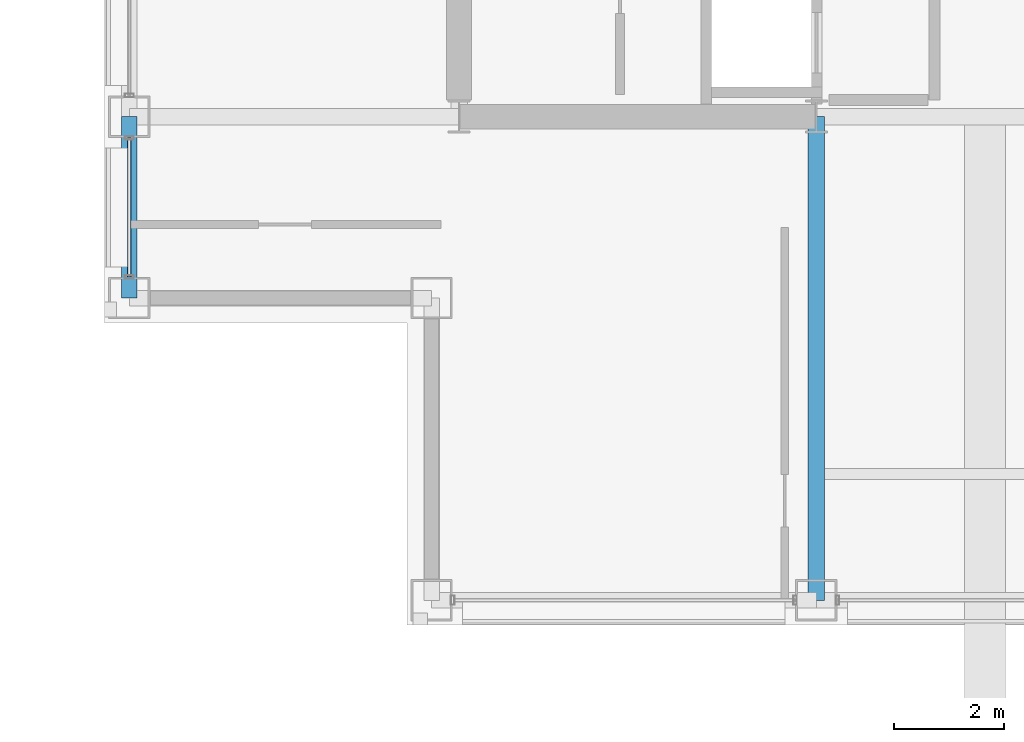
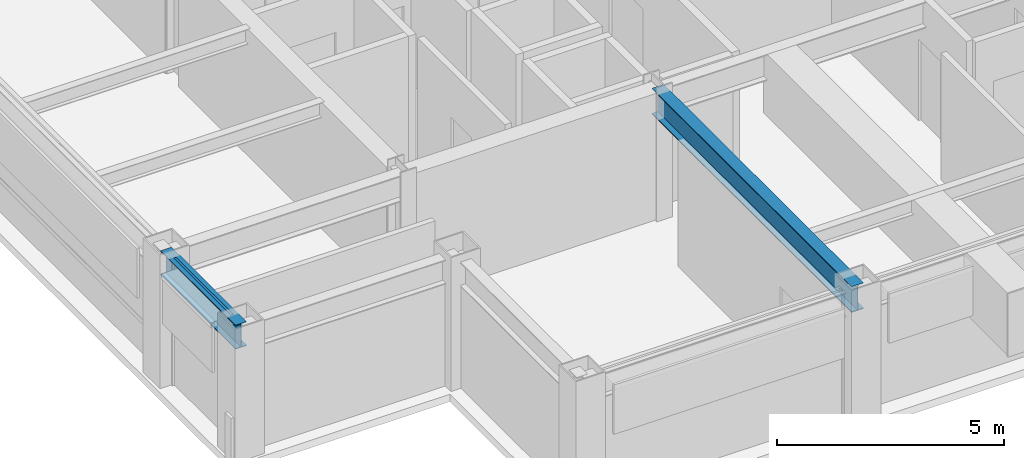
# One storey, part 3 of 28: 2 beams, 1 member, 1 element without a shape of its own.
"""IFC4 building model written with IfcOpenShell, lengths in metres."""

from ifc_helpers import new_model, si_unit, direction, frame, origin, origin_2d, place, context, subcontext, project, spatial, hollow_rectangle, i_section, extrude, material, layer, layer_set, material_profile, profile_set, type_object, element, aggregate, save


model = new_model("IFC4")

# Units and contexts
model_context = context("Model", 3, precision=1e-05, world=origin(), true_north=direction((0.0, 1.0)))
body_context = subcontext(model_context, "Body", "Model", "MODEL_VIEW")
ifc_project = project(units=[si_unit("LENGTHUNIT", "METRE"), si_unit("AREAUNIT", "SQUARE_METRE"), si_unit("VOLUMEUNIT", "CUBIC_METRE"), si_unit("PLANEANGLEUNIT", "RADIAN"), si_unit("MASSUNIT", "GRAM", prefix="KILO")], contexts=[model_context])

# Site, building, storey
site_placement = place(None, origin())
site = spatial("IfcSite", under=ifc_project, at=site_placement, CompositionType="ELEMENT")
building_placement = place(site_placement, origin())
building = spatial("IfcBuilding", under=site, at=building_placement, Name="Brelmoor Portico Tower", CompositionType="ELEMENT")
storey_placement = place(building_placement, frame((0.0, 0.0, 155.10009765625)))
storey = spatial("IfcBuildingStorey", under=building, at=storey_placement, Name="L40", CompositionType="ELEMENT", Elevation=155.10009765625)

# Beams
ifc_material_1 = material(Name="Steel Q355B", Category="steel")
ifc_material_profile_1 = material_profile(ifc_material_1, i_section(OverallWidth=0.300048828125, OverallDepth=0.699951171875, WebThickness=0.012939453125, FlangeThickness=0.02392578125, at=origin_2d()), Name="HN 700x300x13x24")
ifc_profile_set_1 = profile_set([ifc_material_profile_1], Name="Steel Q355B")
beam_type_1 = type_object("IfcBeamType", Name="BM-PG-700", PredefinedType="BEAM", material=ifc_profile_set_1)
beam_1_placement = place(storey_placement, frame((-8.050048828125, -18.550048828125, 3.0498046875), z_axis=(0.0, 1.0, 0.0), x_axis=(-1.0, 0.0, 0.0)))
element("IfcBeam", 1, at=beam_1_placement, inside=storey, type_object=beam_type_1, Name="L40 Primary Floor Girder PG-03", PredefinedType="BEAM", context=body_context, shape_type="SweptSolid", body=[
    extrude(i_section(OverallWidth=0.300048828125, OverallDepth=0.699951171875, WebThickness=0.012939453125, FlangeThickness=0.02392578125, at=origin_2d()), origin(), (0.0, 0.0, 1.0), 8.800048828125),
])
ifc_material_profile_2 = material_profile(ifc_material_1, i_section(OverallWidth=0.280029296875, OverallDepth=0.64990234375, WebThickness=0.012939453125, FlangeThickness=0.02197265625, at=origin_2d()), Name="HN 650x280x13x22")
ifc_profile_set_2 = profile_set([ifc_material_profile_2], Name="Steel Q355B")
beam_type_2 = type_object("IfcBeamType", Name="BM-SP-650", PredefinedType="SPANDREL", material=ifc_profile_set_2)
beam_2_placement = place(storey_placement, frame((-20.550048828125, -13.050048828125, 3.074951171875), z_axis=(0.0, 1.0, 0.0), x_axis=(-1.0, 0.0, 0.0)))
element("IfcBeam", 2, at=beam_2_placement, inside=storey, type_object=beam_type_2, Name="L40 Perimeter Spandrel Beam SP-11", PredefinedType="SPANDREL", context=body_context, shape_type="SweptSolid", body=[
    extrude(i_section(OverallWidth=0.280029296875, OverallDepth=0.64990234375, WebThickness=0.012939453125, FlangeThickness=0.02197265625, at=origin_2d()), origin(), (0.0, 0.0, 1.0), 3.300048828125),
])

# Curtain wall, member
ifc_material_2 = material(Name="Anodised Aluminium Alloy 6063-T6", Category="aluminium")
ifc_layer = layer(ifc_material_2, 0.179931640625)
ifc_layer_set = layer_set([ifc_layer], Name="Anodised Aluminium Alloy 6063-T6")
curtain_wall_type = type_object("IfcCurtainWallType", Name="CW-TOWER-Z3-XB", PredefinedType="NOTDEFINED", material=ifc_layer_set)
curtain_wall_placement = place(storey_placement, origin())
curtain_wall = element("IfcCurtainWall", 3, at=curtain_wall_placement, inside=storey, type_object=curtain_wall_type, Name="L40 Curtain Wall CW-L40-03-1", PredefinedType="NOTDEFINED")
ifc_material_profile_3 = material_profile(ifc_material_2, hollow_rectangle(XDim=0.06005859375, YDim=0.125, WallThickness=0.00341796875, at=origin_2d()), Name="ALU TRANSOM 60x125")
ifc_profile_set_3 = profile_set([ifc_material_profile_3], Name="Anodised Aluminium Alloy 6063-T6")
member_type = type_object("IfcMemberType", Name="MB-CW-TRAN-125", PredefinedType="USERDEFINED", material=ifc_profile_set_3)
member_placement = place(storey_placement, frame((-20.550048828125, -12.6650390625, 3.33740234375), z_axis=(0.0, 1.0, 0.0), x_axis=(-1.0, 0.0, 0.0)))
member = element("IfcMember", 4, at=member_placement, type_object=member_type, Name="CW-L40-03-1 Transom 1-00", ObjectType="TRANSOM", PredefinedType="USERDEFINED", context=body_context, shape_type="SweptSolid", body=[
    extrude(hollow_rectangle(XDim=0.06005859375, YDim=0.125, WallThickness=0.00341796875, at=origin_2d()), origin(), (0.0, 0.0, 1.0), 2.530029296875),
])
aggregate(curtain_wall, [member])

save(model, "model.ifc")
